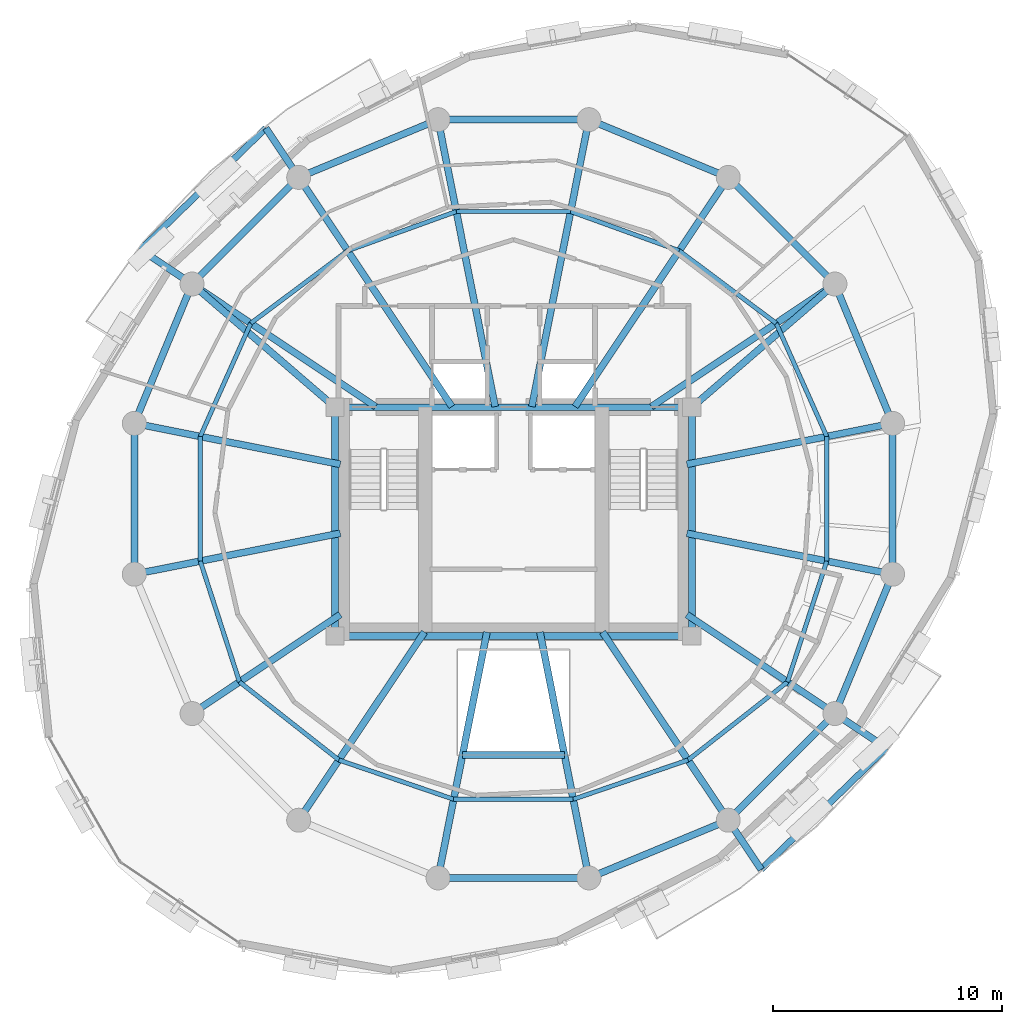
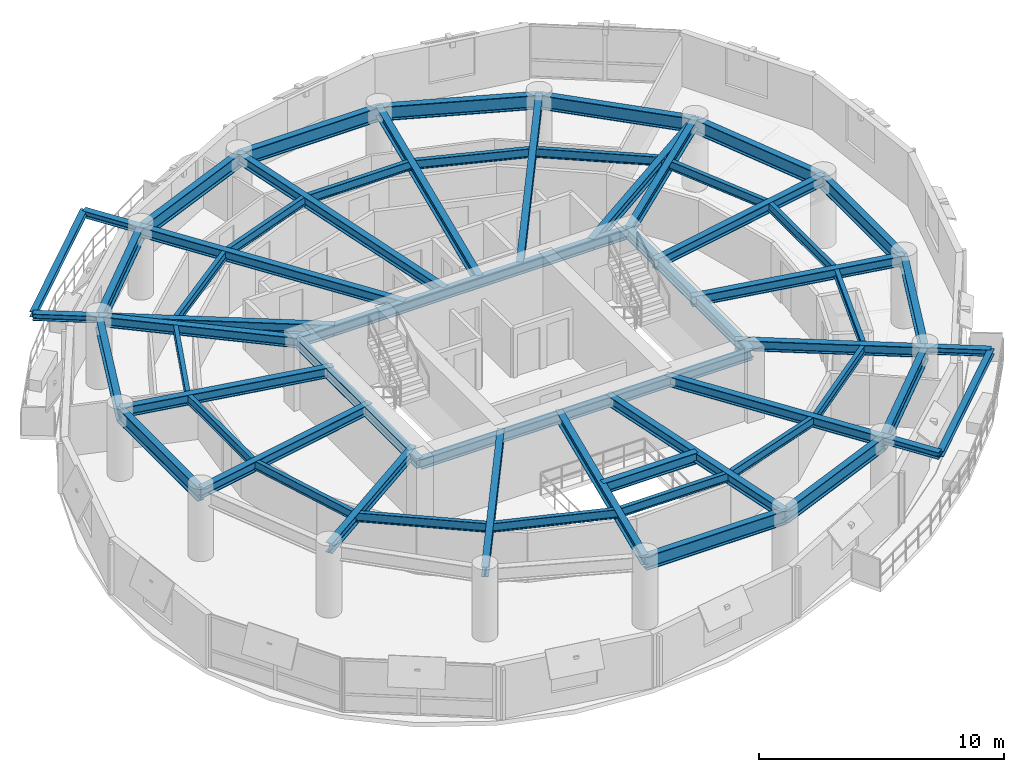
# One storey, part 5 of 12: 58 beams.
"""IFC4 building model written with IfcOpenShell, lengths in metres."""

import ifcopenshell
import ifcopenshell.guid

model = None  # the IFC model being written
_history = None  # IfcOwnerHistory: only IFC2X3 demands one
_inside = {}  # id of a spatial element -> (the spatial element, [elements in it])
_under = {}  # id of a project, library or spatial element -> (it, [spatial elements below it])
_declared = {}  # id of a project -> (the project, [libraries it declares])
_typed = {}  # id of a type object -> (the type object, [elements of that type])
_made_of = {}  # id of a material, layer set ... -> (it, [elements and type objects made of it])


def new_model(schema):
    """Start an empty IFC model of exactly this schema.

    Asked for "IFC4X3", IfcOpenShell would pick the latest addendum, in which some entities
    have other attributes; the version numbers below select the first issue.
    IFC2X3 requires an IfcOwnerHistory on every rooted entity: one is made here for all.
    """
    global model, _history
    if schema == "IFC4X3":
        model = ifcopenshell.file(schema_version=(4, 3, 0, 0))
    else:
        model = ifcopenshell.file(schema=schema)
    _inside.clear()
    _under.clear()
    _declared.clear()
    _typed.clear()
    _made_of.clear()
    _history = None
    if model.schema == "IFC2X3":
        org = make("IfcOrganization", Name="unknown")
        user = make(
            "IfcPersonAndOrganization",
            ThePerson=make("IfcPerson", FamilyName="unknown"),
            TheOrganization=org,
        )
        app = make(
            "IfcApplication",
            ApplicationDeveloper=org,
            Version="unknown",
            ApplicationFullName="unknown",
            ApplicationIdentifier="unknown",
        )
        _history = make(
            "IfcOwnerHistory",
            OwningUser=user,
            OwningApplication=app,
            ChangeAction="ADDED",
            CreationDate=0,
        )
    return model


def make(cls, **values):
    """One entity of the class cls with the attributes given. An attribute that is None is left unset."""
    return model.create_entity(
        cls, **{name: value for name, value in values.items() if value is not None}
    )


def rooted(cls, **values):
    """An entity with a GlobalId (a new one), such as an element, a storey or a relation."""
    return make(cls, GlobalId=ifcopenshell.guid.new(), OwnerHistory=_history, **values)


def si_unit(unit_type, name, prefix=None):
    """IfcSIUnit, for example si_unit("LENGTHUNIT", "METRE", prefix="MILLI")."""
    return make("IfcSIUnit", UnitType=unit_type, Prefix=prefix, Name=name)


def assignment(units):
    """IfcUnitAssignment: the units of a project."""
    return None if units is None else make("IfcUnitAssignment", Units=units)


def point(xyz):
    """IfcCartesianPoint."""
    return None if xyz is None else make("IfcCartesianPoint", Coordinates=xyz)


def direction(xyz):
    """IfcDirection."""
    return None if xyz is None else make("IfcDirection", DirectionRatios=xyz)


def frame(location, z_axis=None, x_axis=None):
    """IfcAxis2Placement3D, a coordinate frame: its origin and axes. An axis left out is left unset."""
    return make(
        "IfcAxis2Placement3D",
        Location=point(location),
        Axis=direction(z_axis),
        RefDirection=direction(x_axis),
    )


def frame_2d(location, x_axis=None):
    """IfcAxis2Placement2D, a coordinate frame in the plane: its origin and x axis."""
    return make(
        "IfcAxis2Placement2D", Location=point(location), RefDirection=direction(x_axis)
    )


def origin():
    """The frame at (0, 0, 0) with its axes left unset."""
    return frame((0.0, 0.0, 0.0))


def origin_2d():
    """The frame at (0, 0) in the plane with its x axis left unset."""
    return frame_2d((0.0, 0.0))


def place(relative_to, where):
    """IfcLocalPlacement: puts the frame where relative to a parent placement (None: the world)."""
    return make(
        "IfcLocalPlacement", PlacementRelTo=relative_to, RelativePlacement=where
    )


def context(
    kind, dimensions, precision=None, world=None, true_north=None, identifier=None
):
    """IfcGeometricRepresentationContext, for example the 3D "Model" context."""
    return make(
        "IfcGeometricRepresentationContext",
        ContextIdentifier=identifier,
        ContextType=kind,
        CoordinateSpaceDimension=dimensions,
        Precision=precision,
        WorldCoordinateSystem=world,
        TrueNorth=true_north,
    )


def subcontext(parent, identifier, kind, view, scale=None):
    """IfcGeometricRepresentationSubContext, for example "Body" below "Model"."""
    return make(
        "IfcGeometricRepresentationSubContext",
        ContextIdentifier=identifier,
        ContextType=kind,
        ParentContext=parent,
        TargetScale=scale,
        TargetView=view,
    )


def project(units=None, contexts=None):
    """IfcProject with its units and contexts."""
    return rooted(
        "IfcProject",
        Name="project",
        RepresentationContexts=contexts,
        UnitsInContext=assignment(units),
    )


def spatial(cls, under=None, at=None, **own):
    """A site, building, storey or space (cls), placed at a placement, below another one or the project."""
    s = rooted(cls, ObjectPlacement=at, **own)
    if under is not None:
        _under.setdefault(under.id(), (under, []))[1].append(s)
    return s


def profile(cls, at=None, kind="AREA", **sizes):
    """A parametric profile (cls). Its sizes go by their IFC names, for example OverallWidth=200.0."""
    return make(cls, ProfileType=kind, Position=at, **sizes)


def i_section(**sizes):
    """IfcIShapeProfileDef."""
    return profile("IfcIShapeProfileDef", **sizes)


def extrude(swept, where, along, depth):
    """IfcExtrudedAreaSolid: the profile swept, set in the frame where, extruded along a direction by depth."""
    return make(
        "IfcExtrudedAreaSolid",
        SweptArea=swept,
        Position=where,
        ExtrudedDirection=direction(along),
        Depth=depth,
    )


def shape(context_of_items, identifier, shape_type, items):
    """IfcShapeRepresentation: the items that make up one representation, for example the "Body"."""
    return make(
        "IfcShapeRepresentation",
        ContextOfItems=context_of_items,
        RepresentationIdentifier=identifier,
        RepresentationType=shape_type,
        Items=items,
    )


def material(Name=None, Category=None):
    """IfcMaterial."""
    return make("IfcMaterial", Name=Name, Category=Category)


def material_profile(
    of_material, cross_section, Name=None, Category=None, Priority=None
):
    """IfcMaterialProfile: a cross section and its material."""
    return make(
        "IfcMaterialProfile",
        Name=Name,
        Material=of_material,
        Profile=cross_section,
        Priority=Priority,
        Category=Category,
    )


def profile_set(profiles, Name=None, composite=None):
    """IfcMaterialProfileSet."""
    return make(
        "IfcMaterialProfileSet",
        Name=Name,
        MaterialProfiles=profiles,
        CompositeProfile=composite,
    )


def made_of(thing, what):
    """Note that an element or type object is made of a material, layer set ...; save() writes the relation."""
    if what is not None:
        _made_of.setdefault(what.id(), (what, []))[1].append(thing)
    return thing


def type_object(cls, material=None, **own):
    """A type object (cls), such as IfcWallType, which elements share."""
    return made_of(rooted(cls, **own), material)


def element(
    cls,
    number,
    at=None,
    inside=None,
    cuts=None,
    type_object=None,
    material=None,
    context=None,
    identifier="Body",
    shape_type=None,
    held_by="IfcProductDefinitionShape",
    body=None,
    shapes=None,
    **own,
):
    """One element of the class cls, such as IfcWall. Its Tag is "e" and its number.

    at: its placement. inside: the storey or other place that contains it. cuts: it is an
    opening in that element (IfcRelVoidsElement). A single representation is given by context,
    identifier, shape_type and body (its items); several are given by shapes. held_by: the class
    of the entity that holds the representations. save() writes the other relations.
    """
    e = rooted(cls, Tag="e%d" % number, ObjectPlacement=at, **own)
    if body is not None:
        shapes = [shape(context, identifier, shape_type, body)]
    if shapes is not None:
        e.Representation = make(held_by, Representations=shapes)
    if inside is not None:
        _inside.setdefault(inside.id(), (inside, []))[1].append(e)
    if cuts is not None:
        rooted(
            "IfcRelVoidsElement", RelatingBuildingElement=cuts, RelatedOpeningElement=e
        )
    if type_object is not None:
        _typed.setdefault(type_object.id(), (type_object, []))[1].append(e)
    return made_of(e, material)


def aggregate(whole, parts):
    """IfcRelAggregates: a whole, such as a stair, and the parts it consists of."""
    return rooted("IfcRelAggregates", RelatingObject=whole, RelatedObjects=parts)


def save(model, path):
    """Write the relations noted so far, then the file.

    IfcRelAggregates (storeys below a building ...), IfcRelContainedInSpatialStructure (elements
    in a storey), IfcRelDefinesByType, IfcRelAssociatesMaterial and IfcRelDeclares: one each for
    every whole, place, type object, material and project.
    """
    for whole, parts in _under.values():
        aggregate(whole, parts)
    for where, things in _inside.values():
        rooted(
            "IfcRelContainedInSpatialStructure",
            RelatedElements=things,
            RelatingStructure=where,
        )
    for kind, things in _typed.values():
        rooted("IfcRelDefinesByType", RelatedObjects=things, RelatingType=kind)
    for what, things in _made_of.values():
        rooted("IfcRelAssociatesMaterial", RelatedObjects=things, RelatingMaterial=what)
    for by, libraries in _declared.values():
        rooted("IfcRelDeclares", RelatingContext=by, RelatedDefinitions=libraries)
    model.write(path)


model = new_model("IFC4")

# Units and contexts
model_context = context("Model", 3, precision=1e-05, world=origin(), true_north=direction((0.0, 1.0)))
body_context = subcontext(model_context, "Body", "Model", "MODEL_VIEW")
ifc_project = project(units=[si_unit("LENGTHUNIT", "METRE"), si_unit("AREAUNIT", "SQUARE_METRE"), si_unit("VOLUMEUNIT", "CUBIC_METRE"), si_unit("PLANEANGLEUNIT", "RADIAN"), si_unit("MASSUNIT", "GRAM", prefix="KILO"), si_unit("THERMODYNAMICTEMPERATUREUNIT", "KELVIN"), si_unit("POWERUNIT", "WATT")], contexts=[model_context])

# Site, building, storey
site_placement = place(None, origin())
site = spatial("IfcSite", under=ifc_project, at=site_placement, CompositionType="ELEMENT")
building_placement = place(site_placement, origin())
building = spatial("IfcBuilding", under=site, at=building_placement, Name="Ocrelia Relay Tower", CompositionType="ELEMENT")
storey_placement = place(building_placement, frame((0.0, 0.0, 209.60009765625)))
storey = spatial("IfcBuildingStorey", under=building, at=storey_placement, Name="L51", CompositionType="ELEMENT", Elevation=209.60009765625)

# Beams
ifc_material = material(Name="Steel S355", Category="steel")
ifc_material_profile_1 = material_profile(ifc_material, i_section(OverallWidth=0.280029296875, OverallDepth=0.27001953125, WebThickness=0.008056640625, FlangeThickness=0.012939453125, FilletRadius=0.02392578125, at=origin_2d()), Name="HEA 280")
ifc_profile_set_1 = profile_set([ifc_material_profile_1], Name="Steel S355")
beam_type_1 = type_object("IfcBeamType", Name="BM-HEA280", PredefinedType="BEAM", material=ifc_profile_set_1)
for number, where, z_axis, x_axis, name in (
    (1, (23.17138671875, 42.2060546875, 3.244873046875), (-0.717557639932, -0.696499126615, 0.0), (0.696499126615, -0.717557639932, 0.0), "L52 Balcony Edge Trimmer Beam B1"),
    (2, (44.82861328125, 9.7939453125, 3.244873046875), (0.717557639932, 0.696499126615, 0.0), (-0.696499126615, 0.717557639932, 0.0), "L52 Balcony Edge Trimmer Beam B2"),
):
    element("IfcBeam", number, at=place(storey_placement, frame(where, z_axis=z_axis, x_axis=x_axis)), inside=storey, type_object=beam_type_1, Name=name, PredefinedType="BEAM", context=body_context, shape_type="SweptSolid", body=[
        extrude(i_section(OverallWidth=0.280029296875, OverallDepth=0.27001953125, WebThickness=0.008056640625, FlangeThickness=0.012939453125, FilletRadius=0.02392578125, at=origin_2d()), origin(), (0.0, 0.0, 1.0), 7.62841796875),
    ])
ifc_material_profile_2 = material_profile(ifc_material, i_section(OverallWidth=0.300048828125, OverallDepth=0.330078125, WebThickness=0.009521484375, FlangeThickness=0.0166015625, FilletRadius=0.027099609375, at=origin_2d()), Name="HEA 340")
ifc_profile_set_2 = profile_set([ifc_material_profile_2], Name="Steel S355")
beam_type_2 = type_object("IfcBeamType", Name="BM-HEA340", PredefinedType="BEAM", material=ifc_profile_set_2)
beam_1_placement = place(storey_placement, frame((24.61083984375, 40.0517578125, 3.21484375), z_axis=(-0.55556969226, 0.831469973626, 0.0), x_axis=(-0.831469973626, -0.55556969226, 0.0)))
element("IfcBeam", 3, at=beam_1_placement, inside=storey, type_object=beam_type_2, Name="L52 Balcony Cantilever Beam B1-1", PredefinedType="BEAM", context=body_context, shape_type="SweptSolid", body=[
    extrude(i_section(OverallWidth=0.300048828125, OverallDepth=0.330078125, WebThickness=0.009521484375, FlangeThickness=0.0166015625, FilletRadius=0.027099609375, at=origin_2d()), origin(), (0.0, 0.0, 1.0), 2.591064453125),
])
beam_2_placement = place(storey_placement, frame((19.9482421875, 35.38916015625, 3.21484375), z_axis=(-0.831508727694, 0.555511688238, 0.0), x_axis=(-0.555511688238, -0.831508727694, 0.0)))
element("IfcBeam", 4, at=beam_2_placement, inside=storey, type_object=beam_type_2, Name="L52 Balcony Cantilever Beam B1-2", PredefinedType="BEAM", context=body_context, shape_type="SweptSolid", body=[
    extrude(i_section(OverallWidth=0.300048828125, OverallDepth=0.330078125, WebThickness=0.009521484375, FlangeThickness=0.0166015625, FilletRadius=0.027099609375, at=origin_2d()), origin(), (0.0, 0.0, 1.0), 2.706787109375),
])
beam_3_placement = place(storey_placement, frame((43.38916015625, 11.9482421875, 3.21484375), z_axis=(0.55556969226, -0.831469973626, 0.0), x_axis=(0.831469973626, 0.55556969226, 0.0)))
element("IfcBeam", 5, at=beam_3_placement, inside=storey, type_object=beam_type_2, Name="L52 Balcony Cantilever Beam B2-1", PredefinedType="BEAM", context=body_context, shape_type="SweptSolid", body=[
    extrude(i_section(OverallWidth=0.300048828125, OverallDepth=0.330078125, WebThickness=0.009521484375, FlangeThickness=0.0166015625, FilletRadius=0.027099609375, at=origin_2d()), origin(), (0.0, 0.0, 1.0), 2.591064453125),
])
beam_4_placement = place(storey_placement, frame((48.0517578125, 16.61083984375, 3.21484375), z_axis=(0.831508727694, -0.555511688238, 0.0), x_axis=(0.555511688238, 0.831508727694, 0.0)))
element("IfcBeam", 6, at=beam_4_placement, inside=storey, type_object=beam_type_2, Name="L52 Balcony Cantilever Beam B2-2", PredefinedType="BEAM", context=body_context, shape_type="SweptSolid", body=[
    extrude(i_section(OverallWidth=0.300048828125, OverallDepth=0.330078125, WebThickness=0.009521484375, FlangeThickness=0.0166015625, FilletRadius=0.027099609375, at=origin_2d()), origin(), (0.0, 0.0, 1.0), 2.706787109375),
])
ifc_material_profile_3 = material_profile(ifc_material, i_section(OverallWidth=0.300048828125, OverallDepth=0.5, WebThickness=0.014404296875, FlangeThickness=0.028076171875, FilletRadius=0.027099609375, at=origin_2d()), Name="HEB 500")
ifc_profile_set_3 = profile_set([ifc_material_profile_3], Name="Steel S355")
beam_type_3 = type_object("IfcBeamType", Name="BM-HEB500", PredefinedType="BEAM", material=ifc_profile_set_3)
for number, where, z_axis, x_axis, name in (
    (7, (26.199951171875, 20.0, 3.1298828125), (1.0, 0.0, 0.0), (0.0, 1.0, 0.0), "L51 Core Pilaster Tie Beam S"),
    (8, (26.199951171875, 30.0, 3.1298828125), (1.0, 0.0, 0.0), (0.0, 1.0, 0.0), "L51 Core Pilaster Tie Beam N"),
):
    element("IfcBeam", number, at=place(storey_placement, frame(where, z_axis=z_axis, x_axis=x_axis)), inside=storey, type_object=beam_type_3, Name=name, PredefinedType="BEAM", context=body_context, shape_type="SweptSolid", body=[
        extrude(i_section(OverallWidth=0.300048828125, OverallDepth=0.5, WebThickness=0.014404296875, FlangeThickness=0.028076171875, FilletRadius=0.027099609375, at=origin_2d()), origin(), (0.0, 0.0, 1.0), 15.60009765625),
    ])
for number, where, z_axis, x_axis, name in (
    (9, (26.199951171875, 20.0, 3.1298828125), (0.0, 1.0, 0.0), (-1.0, 0.0, 0.0), "L51 Core Pilaster Tie Beam W"),
    (10, (41.800048828125, 20.0, 3.1298828125), (0.0, 1.0, 0.0), (-1.0, 0.0, 0.0), "L51 Core Pilaster Tie Beam E"),
):
    element("IfcBeam", number, at=place(storey_placement, frame(where, z_axis=z_axis, x_axis=x_axis)), inside=storey, type_object=beam_type_3, Name=name, PredefinedType="BEAM", context=body_context, shape_type="SweptSolid", body=[
        extrude(i_section(OverallWidth=0.300048828125, OverallDepth=0.5, WebThickness=0.014404296875, FlangeThickness=0.028076171875, FilletRadius=0.027099609375, at=origin_2d()), origin(), (0.0, 0.0, 1.0), 10.0),
    ])
beam_5_placement = place(storey_placement, frame((50.5751953125, 29.297119140625, 3.1298828125), z_axis=(-0.980783891197, -0.1950973059, 0.0), x_axis=(0.1950973059, -0.980783891197, 0.0)))
element("IfcBeam", 11, at=beam_5_placement, inside=storey, type_object=beam_type_3, Name="L51 Radial Floor Girder R01", PredefinedType="BEAM", context=body_context, shape_type="SweptSolid", body=[
    extrude(i_section(OverallWidth=0.300048828125, OverallDepth=0.5, WebThickness=0.014404296875, FlangeThickness=0.028076171875, FilletRadius=0.027099609375, at=origin_2d()), origin(), (0.0, 0.0, 1.0), 9.17138671875),
])
beam_6_placement = place(storey_placement, frame((48.0517578125, 35.38916015625, 3.1298828125), z_axis=(-0.831469666235, -0.555570152305, 0.0), x_axis=(0.555570152305, -0.831469666235, 0.0)))
element("IfcBeam", 12, at=beam_6_placement, inside=storey, type_object=beam_type_3, Name="L51 Radial Floor Girder R02", PredefinedType="BEAM", context=body_context, shape_type="SweptSolid", body=[
    extrude(i_section(OverallWidth=0.300048828125, OverallDepth=0.5, WebThickness=0.014404296875, FlangeThickness=0.028076171875, FilletRadius=0.027099609375, at=origin_2d()), origin(), (0.0, 0.0, 1.0), 9.646240234375),
])
beam_7_placement = place(storey_placement, frame((48.0517578125, 35.38916015625, 3.1298828125), z_axis=(-0.757424589403, -0.652922653434, 0.0), x_axis=(0.652922653434, -0.757424589403, 0.0)))
element("IfcBeam", 13, at=beam_7_placement, inside=storey, type_object=beam_type_3, Name="L51 Core Pilaster Frame Tie Beam PT02", PredefinedType="BEAM", context=body_context, shape_type="SweptSolid", body=[
    extrude(i_section(OverallWidth=0.300048828125, OverallDepth=0.5, WebThickness=0.014404296875, FlangeThickness=0.028076171875, FilletRadius=0.027099609375, at=origin_2d()), origin(), (0.0, 0.0, 1.0), 8.25390625),
])
beam_8_placement = place(storey_placement, frame((43.38916015625, 40.0517578125, 3.1298828125), z_axis=(-0.55556932408, -0.831470219636, 0.0), x_axis=(0.831470219636, -0.55556932408, 0.0)))
element("IfcBeam", 14, at=beam_8_placement, inside=storey, type_object=beam_type_3, Name="L51 Radial Floor Girder R03", PredefinedType="BEAM", context=body_context, shape_type="SweptSolid", body=[
    extrude(i_section(OverallWidth=0.300048828125, OverallDepth=0.5, WebThickness=0.014404296875, FlangeThickness=0.028076171875, FilletRadius=0.027099609375, at=origin_2d()), origin(), (0.0, 0.0, 1.0), 12.052978515625),
])
for number, where, z_axis, x_axis, name in (
    (15, (37.297119140625, 42.5751953125, 3.1298828125), (-0.195106626135, -0.980782037171, 0.0), (0.980782037171, -0.195106626135, 0.0), "L51 Radial Floor Girder R04"),
    (16, (30.702880859375, 42.5751953125, 3.1298828125), (0.195106626135, -0.980782037171, 0.0), (0.980782037171, 0.195106626135, 0.0), "L51 Radial Floor Girder R05"),
):
    element("IfcBeam", number, at=place(storey_placement, frame(where, z_axis=z_axis, x_axis=x_axis)), inside=storey, type_object=beam_type_3, Name=name, PredefinedType="BEAM", context=body_context, shape_type="SweptSolid", body=[
        extrude(i_section(OverallWidth=0.300048828125, OverallDepth=0.5, WebThickness=0.014404296875, FlangeThickness=0.028076171875, FilletRadius=0.027099609375, at=origin_2d()), origin(), (0.0, 0.0, 1.0), 12.791015625),
    ])
beam_9_placement = place(storey_placement, frame((24.61083984375, 40.0517578125, 3.1298828125), z_axis=(0.55556932408, -0.831470219636, 0.0), x_axis=(0.831470219636, 0.55556932408, 0.0)))
element("IfcBeam", 17, at=beam_9_placement, inside=storey, type_object=beam_type_3, Name="L51 Radial Floor Girder R06", PredefinedType="BEAM", context=body_context, shape_type="SweptSolid", body=[
    extrude(i_section(OverallWidth=0.300048828125, OverallDepth=0.5, WebThickness=0.014404296875, FlangeThickness=0.028076171875, FilletRadius=0.027099609375, at=origin_2d()), origin(), (0.0, 0.0, 1.0), 12.052978515625),
])
beam_10_placement = place(storey_placement, frame((19.9482421875, 35.38916015625, 3.1298828125), z_axis=(0.831469666235, -0.555570152305, 0.0), x_axis=(0.555570152305, 0.831469666235, 0.0)))
element("IfcBeam", 18, at=beam_10_placement, inside=storey, type_object=beam_type_3, Name="L51 Radial Floor Girder R07", PredefinedType="BEAM", context=body_context, shape_type="SweptSolid", body=[
    extrude(i_section(OverallWidth=0.300048828125, OverallDepth=0.5, WebThickness=0.014404296875, FlangeThickness=0.028076171875, FilletRadius=0.027099609375, at=origin_2d()), origin(), (0.0, 0.0, 1.0), 9.646240234375),
])
beam_11_placement = place(storey_placement, frame((19.9482421875, 35.38916015625, 3.1298828125), z_axis=(0.757424589403, -0.652922653434, 0.0), x_axis=(0.652922653434, 0.757424589403, 0.0)))
element("IfcBeam", 19, at=beam_11_placement, inside=storey, type_object=beam_type_3, Name="L51 Core Pilaster Frame Tie Beam PT07", PredefinedType="BEAM", context=body_context, shape_type="SweptSolid", body=[
    extrude(i_section(OverallWidth=0.300048828125, OverallDepth=0.5, WebThickness=0.014404296875, FlangeThickness=0.028076171875, FilletRadius=0.027099609375, at=origin_2d()), origin(), (0.0, 0.0, 1.0), 8.25390625),
])
for number, where, z_axis, x_axis, name in (
    (20, (17.4248046875, 29.297119140625, 3.1298828125), (0.980784683446, -0.195093323097, 0.0), (0.195093323097, 0.980784683446, 0.0), "L51 Radial Floor Girder R08"),
    (21, (17.4248046875, 22.702880859375, 3.1298828125), (0.980784683446, 0.195093323097, 0.0), (-0.195093323097, 0.980784683446, 0.0), "L51 Radial Floor Girder R09"),
):
    element("IfcBeam", number, at=place(storey_placement, frame(where, z_axis=z_axis, x_axis=x_axis)), inside=storey, type_object=beam_type_3, Name=name, PredefinedType="BEAM", context=body_context, shape_type="SweptSolid", body=[
        extrude(i_section(OverallWidth=0.300048828125, OverallDepth=0.5, WebThickness=0.014404296875, FlangeThickness=0.028076171875, FilletRadius=0.027099609375, at=origin_2d()), origin(), (0.0, 0.0, 1.0), 9.181640625),
    ])
beam_12_placement = place(storey_placement, frame((19.9482421875, 16.61083984375, 3.1298828125), z_axis=(0.831462012084, 0.555581607382, 0.0), x_axis=(-0.555581607382, 0.831462012084, 0.0)))
element("IfcBeam", 22, at=beam_12_placement, inside=storey, type_object=beam_type_3, Name="L51 Radial Floor Girder R10", PredefinedType="BEAM", context=body_context, shape_type="SweptSolid", body=[
    extrude(i_section(OverallWidth=0.300048828125, OverallDepth=0.5, WebThickness=0.014404296875, FlangeThickness=0.028076171875, FilletRadius=0.027099609375, at=origin_2d()), origin(), (0.0, 0.0, 1.0), 7.795654296875),
])
beam_13_placement = place(storey_placement, frame((24.61083984375, 11.9482421875, 3.1298828125), z_axis=(0.555577337069, 0.831464865485, 0.0), x_axis=(-0.831464865485, 0.555577337069, 0.0)))
element("IfcBeam", 23, at=beam_13_placement, inside=storey, type_object=beam_type_3, Name="L51 Radial Floor Girder R11", PredefinedType="BEAM", context=body_context, shape_type="SweptSolid", body=[
    extrude(i_section(OverallWidth=0.300048828125, OverallDepth=0.5, WebThickness=0.014404296875, FlangeThickness=0.028076171875, FilletRadius=0.027099609375, at=origin_2d()), origin(), (0.0, 0.0, 1.0), 9.88818359375),
])
for number, where, z_axis, x_axis, name in (
    (24, (30.702880859375, 9.4248046875, 3.1298828125), (0.195100373206, 0.980783281044, 0.0), (-0.980783281044, 0.195100373206, 0.0), "L51 Radial Floor Girder R12"),
    (25, (37.297119140625, 9.4248046875, 3.1298828125), (-0.195100373206, 0.980783281044, 0.0), (-0.980783281044, -0.195100373206, 0.0), "L51 Radial Floor Girder R13"),
):
    element("IfcBeam", number, at=place(storey_placement, frame(where, z_axis=z_axis, x_axis=x_axis)), inside=storey, type_object=beam_type_3, Name=name, PredefinedType="BEAM", context=body_context, shape_type="SweptSolid", body=[
        extrude(i_section(OverallWidth=0.300048828125, OverallDepth=0.5, WebThickness=0.014404296875, FlangeThickness=0.028076171875, FilletRadius=0.027099609375, at=origin_2d()), origin(), (0.0, 0.0, 1.0), 10.95556640625),
    ])
beam_14_placement = place(storey_placement, frame((43.38916015625, 11.9482421875, 3.1298828125), z_axis=(-0.555577337069, 0.831464865485, 0.0), x_axis=(-0.831464865485, -0.555577337069, 0.0)))
element("IfcBeam", 26, at=beam_14_placement, inside=storey, type_object=beam_type_3, Name="L51 Radial Floor Girder R14", PredefinedType="BEAM", context=body_context, shape_type="SweptSolid", body=[
    extrude(i_section(OverallWidth=0.300048828125, OverallDepth=0.5, WebThickness=0.014404296875, FlangeThickness=0.028076171875, FilletRadius=0.027099609375, at=origin_2d()), origin(), (0.0, 0.0, 1.0), 9.88818359375),
])
beam_15_placement = place(storey_placement, frame((48.0517578125, 16.61083984375, 3.1298828125), z_axis=(-0.831456272244, 0.555590197309, 0.0), x_axis=(-0.555590197309, -0.831456272244, 0.0)))
element("IfcBeam", 27, at=beam_15_placement, inside=storey, type_object=beam_type_3, Name="L51 Radial Floor Girder R15", PredefinedType="BEAM", context=body_context, shape_type="SweptSolid", body=[
    extrude(i_section(OverallWidth=0.300048828125, OverallDepth=0.5, WebThickness=0.014404296875, FlangeThickness=0.028076171875, FilletRadius=0.027099609375, at=origin_2d()), origin(), (0.0, 0.0, 1.0), 7.783447265625),
])
beam_16_placement = place(storey_placement, frame((50.5751953125, 22.702880859375, 3.1298828125), z_axis=(-0.980783891197, 0.1950973059, 0.0), x_axis=(-0.1950973059, -0.980783891197, 0.0)))
element("IfcBeam", 28, at=beam_16_placement, inside=storey, type_object=beam_type_3, Name="L51 Radial Floor Girder R16", PredefinedType="BEAM", context=body_context, shape_type="SweptSolid", body=[
    extrude(i_section(OverallWidth=0.300048828125, OverallDepth=0.5, WebThickness=0.014404296875, FlangeThickness=0.028076171875, FilletRadius=0.027099609375, at=origin_2d()), origin(), (0.0, 0.0, 1.0), 9.17138671875),
])
ifc_material_profile_4 = material_profile(ifc_material, i_section(OverallWidth=0.300048828125, OverallDepth=0.550048828125, WebThickness=0.014892578125, FlangeThickness=0.029052734375, FilletRadius=0.027099609375, at=origin_2d()), Name="HEB 550")
ifc_profile_set_4 = profile_set([ifc_material_profile_4], Name="Steel S355")
beam_type_4 = type_object("IfcBeamType", Name="BM-HEB550", PredefinedType="BEAM", material=ifc_profile_set_4)
beam_17_placement = place(storey_placement, frame((31.772216796875, 14.800048828125, 3.10498046875), z_axis=(1.0, 0.0, 0.0), x_axis=(0.0, 1.0, 0.0)))
element("IfcBeam", 29, at=beam_17_placement, inside=storey, type_object=beam_type_4, Name="L51 Atrium South Trimmer Beam", PredefinedType="BEAM", context=body_context, shape_type="SweptSolid", body=[
    extrude(i_section(OverallWidth=0.300048828125, OverallDepth=0.550048828125, WebThickness=0.014892578125, FlangeThickness=0.029052734375, FilletRadius=0.027099609375, at=origin_2d()), origin(), (0.0, 0.0, 1.0), 4.45556640625),
])
ifc_material_profile_5 = material_profile(ifc_material, i_section(OverallWidth=0.300048828125, OverallDepth=0.699951171875, WebThickness=0.01708984375, FlangeThickness=0.031982421875, FilletRadius=0.027099609375, at=origin_2d()), Name="HEB 700")
ifc_profile_set_5 = profile_set([ifc_material_profile_5], Name="Steel S355")
beam_type_5 = type_object("IfcBeamType", Name="BM-HEB700", PredefinedType="BEAM", material=ifc_profile_set_5)
for number, where, z_axis, x_axis, name in (
    (30, (50.5751953125, 29.297119140625, 3.02978515625), (-0.382687508402, 0.923877844151, 0.0), (-0.923877844151, -0.382687508402, 0.0), "L51 Perimeter Spandrel Beam S01"),
    (31, (48.0517578125, 35.38916015625, 3.02978515625), (-0.707106781187, 0.707106781187, 0.0), (-0.707106781187, -0.707106781187, 0.0), "L51 Perimeter Spandrel Beam S02"),
    (32, (43.38916015625, 40.0517578125, 3.02978515625), (-0.923877844151, 0.382687508402, 0.0), (-0.382687508402, -0.923877844151, 0.0), "L51 Perimeter Spandrel Beam S03"),
):
    element("IfcBeam", number, at=place(storey_placement, frame(where, z_axis=z_axis, x_axis=x_axis)), inside=storey, type_object=beam_type_5, Name=name, PredefinedType="BEAM", context=body_context, shape_type="SweptSolid", body=[
        extrude(i_section(OverallWidth=0.300048828125, OverallDepth=0.699951171875, WebThickness=0.01708984375, FlangeThickness=0.031982421875, FilletRadius=0.027099609375, at=origin_2d()), origin(), (0.0, 0.0, 1.0), 6.593994140625),
    ])
beam_18_placement = place(storey_placement, frame((37.297119140625, 42.5751953125, 3.02978515625), z_axis=(-1.0, 0.0, 0.0), x_axis=(0.0, -1.0, 0.0)))
element("IfcBeam", 33, at=beam_18_placement, inside=storey, type_object=beam_type_5, Name="L51 Perimeter Spandrel Beam S04", PredefinedType="BEAM", context=body_context, shape_type="SweptSolid", body=[
    extrude(i_section(OverallWidth=0.300048828125, OverallDepth=0.699951171875, WebThickness=0.01708984375, FlangeThickness=0.031982421875, FilletRadius=0.027099609375, at=origin_2d()), origin(), (0.0, 0.0, 1.0), 6.59423828125),
])
for number, where, z_axis, x_axis, name in (
    (34, (30.702880859375, 42.5751953125, 3.02978515625), (-0.923877844151, -0.382687508402, 0.0), (0.382687508402, -0.923877844151, 0.0), "L51 Perimeter Spandrel Beam S05"),
    (35, (24.61083984375, 40.0517578125, 3.02978515625), (-0.707106781187, -0.707106781187, 0.0), (0.707106781187, -0.707106781187, 0.0), "L51 Perimeter Spandrel Beam S06"),
    (36, (19.9482421875, 35.38916015625, 3.02978515625), (-0.382687508402, -0.923877844151, 0.0), (0.923877844151, -0.382687508402, 0.0), "L51 Perimeter Spandrel Beam S07"),
):
    element("IfcBeam", number, at=place(storey_placement, frame(where, z_axis=z_axis, x_axis=x_axis)), inside=storey, type_object=beam_type_5, Name=name, PredefinedType="BEAM", context=body_context, shape_type="SweptSolid", body=[
        extrude(i_section(OverallWidth=0.300048828125, OverallDepth=0.699951171875, WebThickness=0.01708984375, FlangeThickness=0.031982421875, FilletRadius=0.027099609375, at=origin_2d()), origin(), (0.0, 0.0, 1.0), 6.593994140625),
    ])
for number, where, z_axis, x_axis, name in (
    (37, (17.4248046875, 29.297119140625, 3.02978515625), (0.0, -1.0, 0.0), (1.0, 0.0, 0.0), "L51 Perimeter Spandrel Beam S08"),
    (38, (30.702880859375, 9.4248046875, 3.02978515625), (1.0, 0.0, 0.0), (0.0, 1.0, 0.0), "L51 Perimeter Spandrel Beam S12"),
):
    element("IfcBeam", number, at=place(storey_placement, frame(where, z_axis=z_axis, x_axis=x_axis)), inside=storey, type_object=beam_type_5, Name=name, PredefinedType="BEAM", context=body_context, shape_type="SweptSolid", body=[
        extrude(i_section(OverallWidth=0.300048828125, OverallDepth=0.699951171875, WebThickness=0.01708984375, FlangeThickness=0.031982421875, FilletRadius=0.027099609375, at=origin_2d()), origin(), (0.0, 0.0, 1.0), 6.59423828125),
    ])
for number, where, z_axis, x_axis, name in (
    (39, (37.297119140625, 9.4248046875, 3.02978515625), (0.923877844151, 0.382687508402, 0.0), (-0.382687508402, 0.923877844151, 0.0), "L51 Perimeter Spandrel Beam S13"),
    (40, (43.38916015625, 11.9482421875, 3.02978515625), (0.707106781187, 0.707106781187, 0.0), (-0.707106781187, 0.707106781187, 0.0), "L51 Perimeter Spandrel Beam S14"),
    (41, (48.0517578125, 16.61083984375, 3.02978515625), (0.382687508402, 0.923877844151, 0.0), (-0.923877844151, 0.382687508402, 0.0), "L51 Perimeter Spandrel Beam S15"),
):
    element("IfcBeam", number, at=place(storey_placement, frame(where, z_axis=z_axis, x_axis=x_axis)), inside=storey, type_object=beam_type_5, Name=name, PredefinedType="BEAM", context=body_context, shape_type="SweptSolid", body=[
        extrude(i_section(OverallWidth=0.300048828125, OverallDepth=0.699951171875, WebThickness=0.01708984375, FlangeThickness=0.031982421875, FilletRadius=0.027099609375, at=origin_2d()), origin(), (0.0, 0.0, 1.0), 6.593994140625),
    ])
beam_19_placement = place(storey_placement, frame((50.5751953125, 22.702880859375, 3.02978515625), z_axis=(0.0, 1.0, 0.0), x_axis=(-1.0, 0.0, 0.0)))
element("IfcBeam", 42, at=beam_19_placement, inside=storey, type_object=beam_type_5, Name="L51 Perimeter Spandrel Beam S16", PredefinedType="BEAM", context=body_context, shape_type="SweptSolid", body=[
    extrude(i_section(OverallWidth=0.300048828125, OverallDepth=0.699951171875, WebThickness=0.01708984375, FlangeThickness=0.031982421875, FilletRadius=0.027099609375, at=origin_2d()), origin(), (0.0, 0.0, 1.0), 6.59423828125),
])
ifc_material_profile_6 = material_profile(ifc_material, i_section(OverallWidth=0.18994140625, OverallDepth=0.449951171875, WebThickness=0.009521484375, FlangeThickness=0.0146484375, FilletRadius=0.02099609375, at=origin_2d()), Name="IPE 450")
ifc_profile_set_6 = profile_set([ifc_material_profile_6], Name="Steel S355")
beam_type_6 = type_object("IfcBeamType", Name="BM-IPE450", PredefinedType="JOIST", material=ifc_profile_set_6)
beam_20_placement = place(storey_placement, frame((47.69677734375, 28.724365234375, 3.15478515625), z_axis=(-0.407938464853, 0.913009424318, 0.0), x_axis=(-0.913009424318, -0.407938464853, 0.0)))
element("IfcBeam", 43, at=beam_20_placement, inside=storey, type_object=beam_type_6, Name="L51 Secondary Floor Joist J01", PredefinedType="JOIST", context=body_context, shape_type="SweptSolid", body=[
    extrude(i_section(OverallWidth=0.18994140625, OverallDepth=0.449951171875, WebThickness=0.009521484375, FlangeThickness=0.0146484375, FilletRadius=0.02099609375, at=origin_2d()), origin(), (0.0, 0.0, 1.0), 5.421630859375),
])
beam_21_placement = place(storey_placement, frame((45.485107421875, 33.67431640625, 3.15478515625), z_axis=(-0.800785247359, 0.598951573678, 0.0), x_axis=(-0.598951573678, -0.800785247359, 0.0)))
element("IfcBeam", 44, at=beam_21_placement, inside=storey, type_object=beam_type_6, Name="L51 Secondary Floor Joist J02", PredefinedType="JOIST", context=body_context, shape_type="SweptSolid", body=[
    extrude(i_section(OverallWidth=0.18994140625, OverallDepth=0.449951171875, WebThickness=0.009521484375, FlangeThickness=0.0146484375, FilletRadius=0.02099609375, at=origin_2d()), origin(), (0.0, 0.0, 1.0), 5.293212890625),
])
beam_22_placement = place(storey_placement, frame((41.246337890625, 36.8447265625, 3.15478515625), z_axis=(-0.940453871246, 0.339921338046, 0.0), x_axis=(-0.339921338046, -0.940453871246, 0.0)))
element("IfcBeam", 45, at=beam_22_placement, inside=storey, type_object=beam_type_6, Name="L51 Secondary Floor Joist J03", PredefinedType="JOIST", context=body_context, shape_type="SweptSolid", body=[
    extrude(i_section(OverallWidth=0.18994140625, OverallDepth=0.449951171875, WebThickness=0.009521484375, FlangeThickness=0.0146484375, FilletRadius=0.02099609375, at=origin_2d()), origin(), (0.0, 0.0, 1.0), 5.04833984375),
])
beam_23_placement = place(storey_placement, frame((36.49853515625, 38.560791015625, 3.15478515625), z_axis=(-1.0, 0.0, 0.0), x_axis=(0.0, -1.0, 0.0)))
element("IfcBeam", 46, at=beam_23_placement, inside=storey, type_object=beam_type_6, Name="L51 Secondary Floor Joist J04", PredefinedType="JOIST", context=body_context, shape_type="SweptSolid", body=[
    extrude(i_section(OverallWidth=0.18994140625, OverallDepth=0.449951171875, WebThickness=0.009521484375, FlangeThickness=0.0146484375, FilletRadius=0.02099609375, at=origin_2d()), origin(), (0.0, 0.0, 1.0), 4.9970703125),
])
beam_24_placement = place(storey_placement, frame((31.50146484375, 38.560791015625, 3.15478515625), z_axis=(-0.940453871246, -0.339921338046, 0.0), x_axis=(0.339921338046, -0.940453871246, 0.0)))
element("IfcBeam", 47, at=beam_24_placement, inside=storey, type_object=beam_type_6, Name="L51 Secondary Floor Joist J05", PredefinedType="JOIST", context=body_context, shape_type="SweptSolid", body=[
    extrude(i_section(OverallWidth=0.18994140625, OverallDepth=0.449951171875, WebThickness=0.009521484375, FlangeThickness=0.0146484375, FilletRadius=0.02099609375, at=origin_2d()), origin(), (0.0, 0.0, 1.0), 5.04833984375),
])
beam_25_placement = place(storey_placement, frame((26.753662109375, 36.8447265625, 3.15478515625), z_axis=(-0.800785247359, -0.598951573678, 0.0), x_axis=(0.598951573678, -0.800785247359, 0.0)))
element("IfcBeam", 48, at=beam_25_placement, inside=storey, type_object=beam_type_6, Name="L51 Secondary Floor Joist J06", PredefinedType="JOIST", context=body_context, shape_type="SweptSolid", body=[
    extrude(i_section(OverallWidth=0.18994140625, OverallDepth=0.449951171875, WebThickness=0.009521484375, FlangeThickness=0.0146484375, FilletRadius=0.02099609375, at=origin_2d()), origin(), (0.0, 0.0, 1.0), 5.293212890625),
])
beam_26_placement = place(storey_placement, frame((22.514892578125, 33.67431640625, 3.15478515625), z_axis=(-0.407416785709, -0.913242335157, 0.0), x_axis=(0.913242335157, -0.407416785709, 0.0)))
element("IfcBeam", 49, at=beam_26_placement, inside=storey, type_object=beam_type_6, Name="L51 Secondary Floor Joist J07", PredefinedType="JOIST", context=body_context, shape_type="SweptSolid", body=[
    extrude(i_section(OverallWidth=0.18994140625, OverallDepth=0.449951171875, WebThickness=0.009521484375, FlangeThickness=0.0146484375, FilletRadius=0.02099609375, at=origin_2d()), origin(), (0.0, 0.0, 1.0), 5.420654296875),
])
beam_27_placement = place(storey_placement, frame((20.306396484375, 28.723876953125, 3.15478515625), z_axis=(0.0, -1.0, 0.0), x_axis=(1.0, 0.0, 0.0)))
element("IfcBeam", 50, at=beam_27_placement, inside=storey, type_object=beam_type_6, Name="L51 Secondary Floor Joist J08", PredefinedType="JOIST", context=body_context, shape_type="SweptSolid", body=[
    extrude(i_section(OverallWidth=0.18994140625, OverallDepth=0.449951171875, WebThickness=0.009521484375, FlangeThickness=0.0146484375, FilletRadius=0.02099609375, at=origin_2d()), origin(), (0.0, 0.0, 1.0), 5.44775390625),
])
beam_28_placement = place(storey_placement, frame((20.306396484375, 23.276123046875, 3.15478515625), z_axis=(0.309133805786, -0.951018554036, 0.0), x_axis=(0.951018554036, 0.309133805786, 0.0)))
element("IfcBeam", 51, at=beam_28_placement, inside=storey, type_object=beam_type_6, Name="L51 Secondary Floor Joist J09", PredefinedType="JOIST", context=body_context, shape_type="SweptSolid", body=[
    extrude(i_section(OverallWidth=0.18994140625, OverallDepth=0.449951171875, WebThickness=0.009521484375, FlangeThickness=0.0146484375, FilletRadius=0.02099609375, at=origin_2d()), origin(), (0.0, 0.0, 1.0), 5.55126953125),
])
beam_29_placement = place(storey_placement, frame((22.0224609375, 17.996826171875, 3.15478515625), z_axis=(0.786083859045, -0.618119864224, 0.0), x_axis=(0.618119864224, 0.786083859045, 0.0)))
element("IfcBeam", 52, at=beam_29_placement, inside=storey, type_object=beam_type_6, Name="L51 Secondary Floor Joist J10", PredefinedType="JOIST", context=body_context, shape_type="SweptSolid", body=[
    extrude(i_section(OverallWidth=0.18994140625, OverallDepth=0.449951171875, WebThickness=0.009521484375, FlangeThickness=0.0146484375, FilletRadius=0.02099609375, at=origin_2d()), origin(), (0.0, 0.0, 1.0), 5.529296875),
])
beam_30_placement = place(storey_placement, frame((26.368896484375, 14.5791015625, 3.15478515625), z_axis=(0.946215174492, -0.323538009454, 0.0), x_axis=(0.323538009454, 0.946215174492, 0.0)))
element("IfcBeam", 53, at=beam_30_placement, inside=storey, type_object=beam_type_6, Name="L51 Secondary Floor Joist J11", PredefinedType="JOIST", context=body_context, shape_type="SweptSolid", body=[
    extrude(i_section(OverallWidth=0.18994140625, OverallDepth=0.449951171875, WebThickness=0.009521484375, FlangeThickness=0.0146484375, FilletRadius=0.02099609375, at=origin_2d()), origin(), (0.0, 0.0, 1.0), 5.30322265625),
])
beam_31_placement = place(storey_placement, frame((31.386962890625, 12.86328125, 3.15478515625), z_axis=(1.0, 0.0, 0.0), x_axis=(0.0, 1.0, 0.0)))
element("IfcBeam", 54, at=beam_31_placement, inside=storey, type_object=beam_type_6, Name="L51 Secondary Floor Joist J12", PredefinedType="JOIST", context=body_context, shape_type="SweptSolid", body=[
    extrude(i_section(OverallWidth=0.18994140625, OverallDepth=0.449951171875, WebThickness=0.009521484375, FlangeThickness=0.0146484375, FilletRadius=0.02099609375, at=origin_2d()), origin(), (0.0, 0.0, 1.0), 5.22607421875),
])
beam_32_placement = place(storey_placement, frame((36.613037109375, 12.86328125, 3.15478515625), z_axis=(0.946215174492, 0.323538009454, 0.0), x_axis=(-0.323538009454, 0.946215174492, 0.0)))
element("IfcBeam", 55, at=beam_32_placement, inside=storey, type_object=beam_type_6, Name="L51 Secondary Floor Joist J13", PredefinedType="JOIST", context=body_context, shape_type="SweptSolid", body=[
    extrude(i_section(OverallWidth=0.18994140625, OverallDepth=0.449951171875, WebThickness=0.009521484375, FlangeThickness=0.0146484375, FilletRadius=0.02099609375, at=origin_2d()), origin(), (0.0, 0.0, 1.0), 5.30322265625),
])
beam_33_placement = place(storey_placement, frame((41.631103515625, 14.5791015625, 3.15478515625), z_axis=(0.78649600233, 0.617595367793, 0.0), x_axis=(-0.617595367793, 0.78649600233, 0.0)))
element("IfcBeam", 56, at=beam_33_placement, inside=storey, type_object=beam_type_6, Name="L51 Secondary Floor Joist J14", PredefinedType="JOIST", context=body_context, shape_type="SweptSolid", body=[
    extrude(i_section(OverallWidth=0.18994140625, OverallDepth=0.449951171875, WebThickness=0.009521484375, FlangeThickness=0.0146484375, FilletRadius=0.02099609375, at=origin_2d()), origin(), (0.0, 0.0, 1.0), 5.5302734375),
])
beam_34_placement = place(storey_placement, frame((45.980712890625, 17.99462890625, 3.15478515625), z_axis=(0.309043322978, 0.95104796121, 0.0), x_axis=(-0.95104796121, 0.309043322978, 0.0)))
element("IfcBeam", 57, at=beam_34_placement, inside=storey, type_object=beam_type_6, Name="L51 Secondary Floor Joist J15", PredefinedType="JOIST", context=body_context, shape_type="SweptSolid", body=[
    extrude(i_section(OverallWidth=0.18994140625, OverallDepth=0.449951171875, WebThickness=0.009521484375, FlangeThickness=0.0146484375, FilletRadius=0.02099609375, at=origin_2d()), origin(), (0.0, 0.0, 1.0), 5.552734375),
])
beam_35_placement = place(storey_placement, frame((47.69677734375, 23.275634765625, 3.15478515625), z_axis=(0.0, 1.0, 0.0), x_axis=(-1.0, 0.0, 0.0)))
element("IfcBeam", 58, at=beam_35_placement, inside=storey, type_object=beam_type_6, Name="L51 Secondary Floor Joist J16", PredefinedType="JOIST", context=body_context, shape_type="SweptSolid", body=[
    extrude(i_section(OverallWidth=0.18994140625, OverallDepth=0.449951171875, WebThickness=0.009521484375, FlangeThickness=0.0146484375, FilletRadius=0.02099609375, at=origin_2d()), origin(), (0.0, 0.0, 1.0), 5.44873046875),
])

save(model, "model.ifc")
